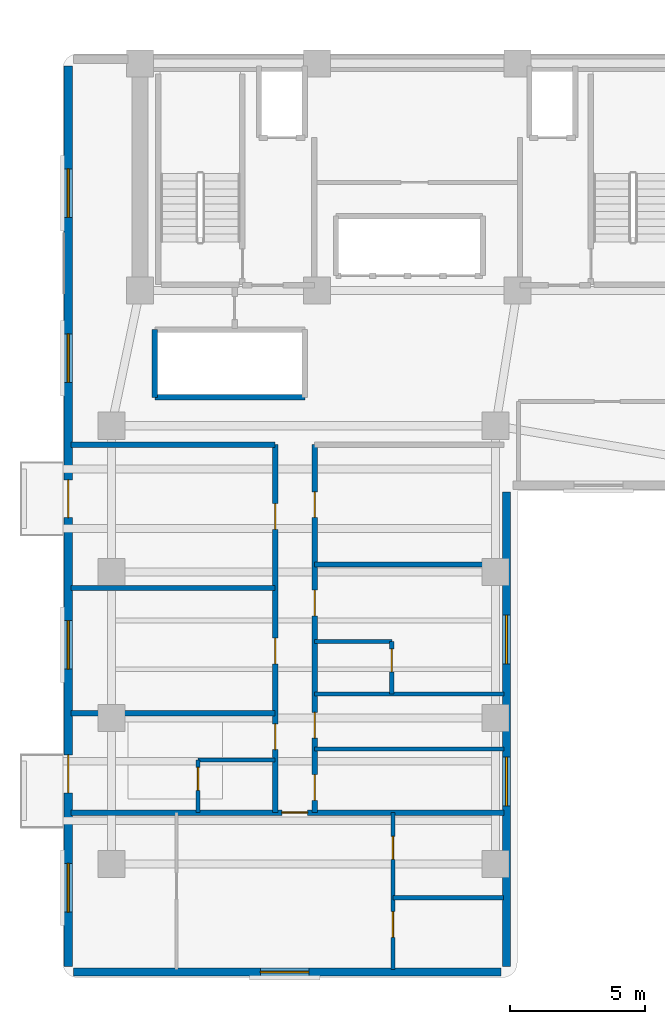
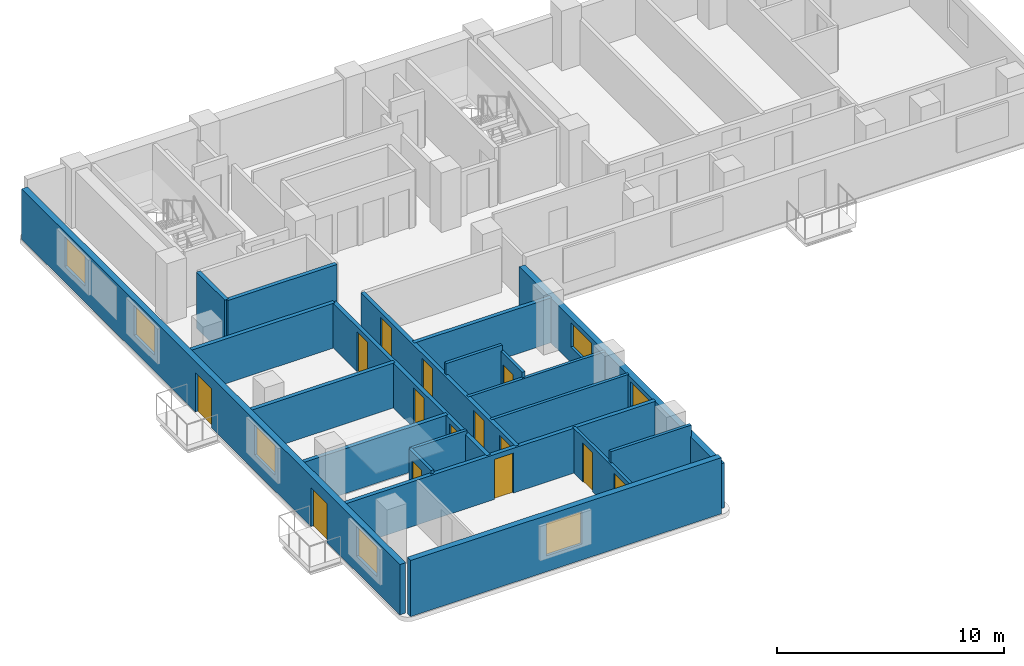
# One storey, part 3 of 8: 20 walls, 14 doors, 7 windows, 21 openings.
"""IFC4 building model written with IfcOpenShell, lengths in metres."""

import ifcopenshell
import ifcopenshell.guid

model = None  # the IFC model being written
_history = None  # IfcOwnerHistory: only IFC2X3 demands one
_inside = {}  # id of a spatial element -> (the spatial element, [elements in it])
_under = {}  # id of a project, library or spatial element -> (it, [spatial elements below it])
_declared = {}  # id of a project -> (the project, [libraries it declares])
_typed = {}  # id of a type object -> (the type object, [elements of that type])
_made_of = {}  # id of a material, layer set ... -> (it, [elements and type objects made of it])


def new_model(schema):
    """Start an empty IFC model of exactly this schema.

    Asked for "IFC4X3", IfcOpenShell would pick the latest addendum, in which some entities
    have other attributes; the version numbers below select the first issue.
    IFC2X3 requires an IfcOwnerHistory on every rooted entity: one is made here for all.
    """
    global model, _history
    if schema == "IFC4X3":
        model = ifcopenshell.file(schema_version=(4, 3, 0, 0))
    else:
        model = ifcopenshell.file(schema=schema)
    _inside.clear()
    _under.clear()
    _declared.clear()
    _typed.clear()
    _made_of.clear()
    _history = None
    if model.schema == "IFC2X3":
        org = make("IfcOrganization", Name="unknown")
        user = make(
            "IfcPersonAndOrganization",
            ThePerson=make("IfcPerson", FamilyName="unknown"),
            TheOrganization=org,
        )
        app = make(
            "IfcApplication",
            ApplicationDeveloper=org,
            Version="unknown",
            ApplicationFullName="unknown",
            ApplicationIdentifier="unknown",
        )
        _history = make(
            "IfcOwnerHistory",
            OwningUser=user,
            OwningApplication=app,
            ChangeAction="ADDED",
            CreationDate=0,
        )
    return model


def make(cls, **values):
    """One entity of the class cls with the attributes given. An attribute that is None is left unset."""
    return model.create_entity(
        cls, **{name: value for name, value in values.items() if value is not None}
    )


def rooted(cls, **values):
    """An entity with a GlobalId (a new one), such as an element, a storey or a relation."""
    return make(cls, GlobalId=ifcopenshell.guid.new(), OwnerHistory=_history, **values)


def si_unit(unit_type, name, prefix=None):
    """IfcSIUnit, for example si_unit("LENGTHUNIT", "METRE", prefix="MILLI")."""
    return make("IfcSIUnit", UnitType=unit_type, Prefix=prefix, Name=name)


def assignment(units):
    """IfcUnitAssignment: the units of a project."""
    return None if units is None else make("IfcUnitAssignment", Units=units)


def point(xyz):
    """IfcCartesianPoint."""
    return None if xyz is None else make("IfcCartesianPoint", Coordinates=xyz)


def direction(xyz):
    """IfcDirection."""
    return None if xyz is None else make("IfcDirection", DirectionRatios=xyz)


def frame(location, z_axis=None, x_axis=None):
    """IfcAxis2Placement3D, a coordinate frame: its origin and axes. An axis left out is left unset."""
    return make(
        "IfcAxis2Placement3D",
        Location=point(location),
        Axis=direction(z_axis),
        RefDirection=direction(x_axis),
    )


def frame_2d(location, x_axis=None):
    """IfcAxis2Placement2D, a coordinate frame in the plane: its origin and x axis."""
    return make(
        "IfcAxis2Placement2D", Location=point(location), RefDirection=direction(x_axis)
    )


def origin():
    """The frame at (0, 0, 0) with its axes left unset."""
    return frame((0.0, 0.0, 0.0))


def place(relative_to, where):
    """IfcLocalPlacement: puts the frame where relative to a parent placement (None: the world)."""
    return make(
        "IfcLocalPlacement", PlacementRelTo=relative_to, RelativePlacement=where
    )


def context(
    kind, dimensions, precision=None, world=None, true_north=None, identifier=None
):
    """IfcGeometricRepresentationContext, for example the 3D "Model" context."""
    return make(
        "IfcGeometricRepresentationContext",
        ContextIdentifier=identifier,
        ContextType=kind,
        CoordinateSpaceDimension=dimensions,
        Precision=precision,
        WorldCoordinateSystem=world,
        TrueNorth=true_north,
    )


def subcontext(parent, identifier, kind, view, scale=None):
    """IfcGeometricRepresentationSubContext, for example "Body" below "Model"."""
    return make(
        "IfcGeometricRepresentationSubContext",
        ContextIdentifier=identifier,
        ContextType=kind,
        ParentContext=parent,
        TargetScale=scale,
        TargetView=view,
    )


def project(units=None, contexts=None):
    """IfcProject with its units and contexts."""
    return rooted(
        "IfcProject",
        Name="project",
        RepresentationContexts=contexts,
        UnitsInContext=assignment(units),
    )


def spatial(cls, under=None, at=None, **own):
    """A site, building, storey or space (cls), placed at a placement, below another one or the project."""
    s = rooted(cls, ObjectPlacement=at, **own)
    if under is not None:
        _under.setdefault(under.id(), (under, []))[1].append(s)
    return s


def profile(cls, at=None, kind="AREA", **sizes):
    """A parametric profile (cls). Its sizes go by their IFC names, for example OverallWidth=200.0."""
    return make(cls, ProfileType=kind, Position=at, **sizes)


def rectangle(**sizes):
    """IfcRectangleProfileDef."""
    return profile("IfcRectangleProfileDef", **sizes)


def extrude(swept, where, along, depth):
    """IfcExtrudedAreaSolid: the profile swept, set in the frame where, extruded along a direction by depth."""
    return make(
        "IfcExtrudedAreaSolid",
        SweptArea=swept,
        Position=where,
        ExtrudedDirection=direction(along),
        Depth=depth,
    )


def shape(context_of_items, identifier, shape_type, items):
    """IfcShapeRepresentation: the items that make up one representation, for example the "Body"."""
    return make(
        "IfcShapeRepresentation",
        ContextOfItems=context_of_items,
        RepresentationIdentifier=identifier,
        RepresentationType=shape_type,
        Items=items,
    )


def material(Name=None, Category=None):
    """IfcMaterial."""
    return make("IfcMaterial", Name=Name, Category=Category)


def layer(
    of_material, thickness, ventilated=None, Name=None, Category=None, Priority=None
):
    """IfcMaterialLayer: one layer of a wall or slab, of a material (None: an air gap)."""
    return make(
        "IfcMaterialLayer",
        Material=of_material,
        LayerThickness=thickness,
        IsVentilated=ventilated,
        Name=Name,
        Category=Category,
        Priority=Priority,
    )


def layer_set(layers, Name=None):
    """IfcMaterialLayerSet."""
    return make("IfcMaterialLayerSet", MaterialLayers=layers, LayerSetName=Name)


def made_of(thing, what):
    """Note that an element or type object is made of a material, layer set ...; save() writes the relation."""
    if what is not None:
        _made_of.setdefault(what.id(), (what, []))[1].append(thing)
    return thing


def type_object(cls, material=None, **own):
    """A type object (cls), such as IfcWallType, which elements share."""
    return made_of(rooted(cls, **own), material)


def element(
    cls,
    number,
    at=None,
    inside=None,
    cuts=None,
    type_object=None,
    material=None,
    context=None,
    identifier="Body",
    shape_type=None,
    held_by="IfcProductDefinitionShape",
    body=None,
    shapes=None,
    **own,
):
    """One element of the class cls, such as IfcWall. Its Tag is "e" and its number.

    at: its placement. inside: the storey or other place that contains it. cuts: it is an
    opening in that element (IfcRelVoidsElement). A single representation is given by context,
    identifier, shape_type and body (its items); several are given by shapes. held_by: the class
    of the entity that holds the representations. save() writes the other relations.
    """
    e = rooted(cls, Tag="e%d" % number, ObjectPlacement=at, **own)
    if body is not None:
        shapes = [shape(context, identifier, shape_type, body)]
    if shapes is not None:
        e.Representation = make(held_by, Representations=shapes)
    if inside is not None:
        _inside.setdefault(inside.id(), (inside, []))[1].append(e)
    if cuts is not None:
        rooted(
            "IfcRelVoidsElement", RelatingBuildingElement=cuts, RelatedOpeningElement=e
        )
    if type_object is not None:
        _typed.setdefault(type_object.id(), (type_object, []))[1].append(e)
    return made_of(e, material)


def fill(opening, filler):
    """IfcRelFillsElement: the door or window that sits in an opening."""
    return rooted(
        "IfcRelFillsElement",
        RelatingOpeningElement=opening,
        RelatedBuildingElement=filler,
    )


def aggregate(whole, parts):
    """IfcRelAggregates: a whole, such as a stair, and the parts it consists of."""
    return rooted("IfcRelAggregates", RelatingObject=whole, RelatedObjects=parts)


def save(model, path):
    """Write the relations noted so far, then the file.

    IfcRelAggregates (storeys below a building ...), IfcRelContainedInSpatialStructure (elements
    in a storey), IfcRelDefinesByType, IfcRelAssociatesMaterial and IfcRelDeclares: one each for
    every whole, place, type object, material and project.
    """
    for whole, parts in _under.values():
        aggregate(whole, parts)
    for where, things in _inside.values():
        rooted(
            "IfcRelContainedInSpatialStructure",
            RelatedElements=things,
            RelatingStructure=where,
        )
    for kind, things in _typed.values():
        rooted("IfcRelDefinesByType", RelatedObjects=things, RelatingType=kind)
    for what, things in _made_of.values():
        rooted("IfcRelAssociatesMaterial", RelatedObjects=things, RelatingMaterial=what)
    for by, libraries in _declared.values():
        rooted("IfcRelDeclares", RelatingContext=by, RelatedDefinitions=libraries)
    model.write(path)


model = new_model("IFC4")

# Units and contexts
model_context = context("Model", 3, precision=1e-05, world=origin(), true_north=direction((0.0, 1.0)))
body_context = subcontext(model_context, "Body", "Model", "MODEL_VIEW")
ifc_project = project(units=[si_unit("LENGTHUNIT", "METRE"), si_unit("AREAUNIT", "SQUARE_METRE"), si_unit("VOLUMEUNIT", "CUBIC_METRE"), si_unit("PLANEANGLEUNIT", "RADIAN"), si_unit("MASSUNIT", "GRAM", prefix="KILO")], contexts=[model_context])

# Site, building, storey
site_placement = place(None, origin())
site = spatial("IfcSite", under=ifc_project, at=site_placement, CompositionType="ELEMENT")
building_placement = place(site_placement, origin())
building = spatial("IfcBuilding", under=site, at=building_placement, Name="Kuzgunbayir Cultural Tower", CompositionType="ELEMENT")
storey_placement = place(building_placement, frame((0.0, 0.0, 107.39990234375)))
storey = spatial("IfcBuildingStorey", under=building, at=storey_placement, Name="L30", CompositionType="ELEMENT", Elevation=107.39990234375)

# Wall, opening, window
ifc_material_1 = material(Name="Anatolian Cream Limestone", Category="masonry")
ifc_layer_1 = layer(ifc_material_1, 0.300048828125)
ifc_layer_set_1 = layer_set([ifc_layer_1], Name="Anatolian Cream Limestone")
wall_type_1 = type_object("IfcWallType", Name="WAL-EXT-STONE-300", PredefinedType="STANDARD", material=ifc_layer_set_1)
wall_1_placement = place(storey_placement, frame((4.0, 8.60009765625, 0.0), z_axis=(0.0, 0.0, 1.0), x_axis=(1.0, 0.0, 0.0)))
wall_1 = element("IfcWall", 1, at=wall_1_placement, inside=storey, type_object=wall_type_1, Name="L30 Wing A South Limestone Wall", PredefinedType="STANDARD", context=body_context, shape_type="SweptSolid", body=[
    extrude(rectangle(XDim=15.800048828125, YDim=0.300048828125, at=frame_2d((7.89990234375, 0.0))), origin(), (0.0, 0.0, 1.0), 3.02001953125),
])
opening_1_placement = place(wall_1_placement, frame((6.89990234375, 0.0, 0.85009765625)))
opening_1 = element("IfcOpeningElement", 2, at=opening_1_placement, cuts=wall_1, Name="Opening WH-18", PredefinedType="OPENING", context=body_context, shape_type="SweptSolid", body=[
    extrude(rectangle(XDim=1.800048828125, YDim=1.75, at=frame_2d((0.89990234375, 0.875))), frame((0.0, 0.16015625, 0.0), z_axis=(0.0, -1.0, 0.0), x_axis=(1.0, 0.0, 0.0)), (0.0, 0.0, 1.0), 0.320068359375),
])
ifc_material_2 = material(Name="Solar-Control Triple Glazing", Category="glass")
window_type = type_object("IfcWindowType", Name="WIN-HOTEL-18", PartitioningType="SINGLE_PANEL", PredefinedType="WINDOW", material=ifc_material_2)
window_1_placement = place(opening_1_placement, origin())
window_1 = element("IfcWindow", 3, at=window_1_placement, inside=storey, type_object=window_type, Name="L30 WAS Facade Window 2", OverallHeight=1.75, OverallWidth=1.800048828125, PartitioningType="SINGLE_PANEL", PredefinedType="WINDOW", context=body_context, shape_type="SweptSolid", body=[
    extrude(rectangle(XDim=1.800048828125, YDim=1.75, at=frame_2d((0.89990234375, 0.875))), frame((0.0, 0.030029296875, 0.0), z_axis=(0.0, -1.0, 0.0), x_axis=(1.0, 0.0, 0.0)), (0.0, 0.0, 1.0), 0.06005859375),
])
fill(opening_1, window_1)

# Wall, openings, doors, windows
wall_2_placement = place(storey_placement, frame((3.800048828125, 42.10009765625, 0.0), z_axis=(0.0, 0.0, 1.0), x_axis=(0.0, -1.0, 0.0)))
wall_2 = element("IfcWall", 4, at=wall_2_placement, inside=storey, type_object=wall_type_1, Name="L30 Wing A West Limestone Wall", PredefinedType="STANDARD", context=body_context, shape_type="SweptSolid", body=[
    extrude(rectangle(XDim=33.300048828125, YDim=0.300048828125, at=frame_2d((16.64990234375, 0.0))), origin(), (0.0, 0.0, 1.0), 2.710205078125),
])
opening_2_placement = place(wall_2_placement, frame((25.469970703125, 0.0, 0.0)))
opening_2 = element("IfcOpeningElement", 5, at=opening_2_placement, cuts=wall_2, Name="Opening BD-15", PredefinedType="OPENING", context=body_context, shape_type="SweptSolid", body=[
    extrude(rectangle(XDim=1.39990234375, YDim=2.10009765625, at=frame_2d((0.699951171875, 1.050048828125))), frame((0.0, 0.16015625, 0.0), z_axis=(0.0, -1.0, 0.0), x_axis=(1.0, 0.0, 0.0)), (0.0, 0.0, 1.0), 0.320068359375),
])
opening_3_placement = place(wall_2_placement, frame((15.300048828125, 0.0, 0.0)))
opening_3 = element("IfcOpeningElement", 6, at=opening_3_placement, cuts=wall_2, Name="Opening BD-15", PredefinedType="OPENING", context=body_context, shape_type="SweptSolid", body=[
    extrude(rectangle(XDim=1.39990234375, YDim=2.10009765625, at=frame_2d((0.699951171875, 1.050048828125))), frame((0.0, 0.16015625, 0.0), z_axis=(0.0, -1.0, 0.0), x_axis=(1.0, 0.0, 0.0)), (0.0, 0.0, 1.0), 0.320068359375),
])
opening_4_placement = place(wall_2_placement, frame((29.47998046875, 0.0, 0.85009765625)))
opening_4 = element("IfcOpeningElement", 7, at=opening_4_placement, cuts=wall_2, Name="Opening WH-18", PredefinedType="OPENING", context=body_context, shape_type="SweptSolid", body=[
    extrude(rectangle(XDim=1.800048828125, YDim=1.610107421875, at=frame_2d((0.89990234375, 0.80517578125))), frame((0.0, 0.16015625, 0.0), z_axis=(0.0, -1.0, 0.0), x_axis=(1.0, 0.0, 0.0)), (0.0, 0.0, 1.0), 0.320068359375),
])
opening_5_placement = place(wall_2_placement, frame((20.5, 0.0, 0.85009765625)))
opening_5 = element("IfcOpeningElement", 8, at=opening_5_placement, cuts=wall_2, Name="Opening WH-18", PredefinedType="OPENING", context=body_context, shape_type="SweptSolid", body=[
    extrude(rectangle(XDim=1.800048828125, YDim=1.610107421875, at=frame_2d((0.89990234375, 0.80517578125))), frame((0.0, 0.16015625, 0.0), z_axis=(0.0, -1.0, 0.0), x_axis=(1.0, 0.0, 0.0)), (0.0, 0.0, 1.0), 0.320068359375),
])
opening_6_placement = place(wall_2_placement, frame((9.89990234375, 0.0, 0.85009765625)))
opening_6 = element("IfcOpeningElement", 9, at=opening_6_placement, cuts=wall_2, Name="Opening WH-18", PredefinedType="OPENING", context=body_context, shape_type="SweptSolid", body=[
    extrude(rectangle(XDim=1.800048828125, YDim=1.610107421875, at=frame_2d((0.89990234375, 0.80517578125))), frame((0.0, 0.16015625, 0.0), z_axis=(0.0, -1.0, 0.0), x_axis=(1.0, 0.0, 0.0)), (0.0, 0.0, 1.0), 0.320068359375),
])
opening_7_placement = place(wall_2_placement, frame((3.800048828125, 0.0, 0.85009765625)))
opening_7 = element("IfcOpeningElement", 10, at=opening_7_placement, cuts=wall_2, Name="Opening WH-18", PredefinedType="OPENING", context=body_context, shape_type="SweptSolid", body=[
    extrude(rectangle(XDim=1.800048828125, YDim=1.610107421875, at=frame_2d((0.89990234375, 0.80517578125))), frame((0.0, 0.16015625, 0.0), z_axis=(0.0, -1.0, 0.0), x_axis=(1.0, 0.0, 0.0)), (0.0, 0.0, 1.0), 0.320068359375),
])
ifc_material_3 = material(Name="Thermally Broken Glazed Aluminium", Category="aluminium")
door_type_1 = type_object("IfcDoorType", Name="DR-BALCONY-150", OperationType="SLIDING_TO_RIGHT", PredefinedType="DOOR", material=ifc_material_3)
door_1_placement = place(opening_2_placement, origin())
door_1 = element("IfcDoor", 11, at=door_1_placement, inside=storey, type_object=door_type_1, Name="L30 West Balcony Sliding Door BAL-L30-WA1", OperationType="SLIDING_TO_RIGHT", OverallHeight=2.10009765625, OverallWidth=1.39990234375, PredefinedType="DOOR", context=body_context, shape_type="SweptSolid", body=[
    extrude(rectangle(XDim=1.39990234375, YDim=2.10009765625, at=frame_2d((0.699951171875, 1.050048828125))), frame((0.0, 0.02490234375, 0.0), z_axis=(0.0, -1.0, 0.0), x_axis=(1.0, 0.0, 0.0)), (0.0, 0.0, 1.0), 0.050048828125),
])
fill(opening_2, door_1)
door_2_placement = place(opening_3_placement, origin())
door_2 = element("IfcDoor", 12, at=door_2_placement, inside=storey, type_object=door_type_1, Name="L30 West Balcony Sliding Door BAL-L30-WA3", OperationType="SLIDING_TO_RIGHT", OverallHeight=2.10009765625, OverallWidth=1.39990234375, PredefinedType="DOOR", context=body_context, shape_type="SweptSolid", body=[
    extrude(rectangle(XDim=1.39990234375, YDim=2.10009765625, at=frame_2d((0.699951171875, 1.050048828125))), frame((0.0, 0.02490234375, 0.0), z_axis=(0.0, -1.0, 0.0), x_axis=(1.0, 0.0, 0.0)), (0.0, 0.0, 1.0), 0.050048828125),
])
fill(opening_3, door_2)
window_2_placement = place(opening_4_placement, origin())
window_2 = element("IfcWindow", 13, at=window_2_placement, inside=storey, type_object=window_type, Name="L30 WAW Facade Window 1", OverallHeight=1.610107421875, OverallWidth=1.800048828125, PartitioningType="SINGLE_PANEL", PredefinedType="WINDOW", context=body_context, shape_type="SweptSolid", body=[
    extrude(rectangle(XDim=1.800048828125, YDim=1.610107421875, at=frame_2d((0.89990234375, 0.80517578125))), frame((0.0, 0.030029296875, 0.0), z_axis=(0.0, -1.0, 0.0), x_axis=(1.0, 0.0, 0.0)), (0.0, 0.0, 1.0), 0.06005859375),
])
fill(opening_4, window_2)
window_3_placement = place(opening_5_placement, origin())
window_3 = element("IfcWindow", 14, at=window_3_placement, inside=storey, type_object=window_type, Name="L30 WAW Facade Window 6", OverallHeight=1.610107421875, OverallWidth=1.800048828125, PartitioningType="SINGLE_PANEL", PredefinedType="WINDOW", context=body_context, shape_type="SweptSolid", body=[
    extrude(rectangle(XDim=1.800048828125, YDim=1.610107421875, at=frame_2d((0.89990234375, 0.80517578125))), frame((0.0, 0.030029296875, 0.0), z_axis=(0.0, -1.0, 0.0), x_axis=(1.0, 0.0, 0.0)), (0.0, 0.0, 1.0), 0.06005859375),
])
fill(opening_5, window_3)
window_4_placement = place(opening_6_placement, origin())
window_4 = element("IfcWindow", 15, at=window_4_placement, inside=storey, type_object=window_type, Name="L30 WAW Facade Window 7", OverallHeight=1.610107421875, OverallWidth=1.800048828125, PartitioningType="SINGLE_PANEL", PredefinedType="WINDOW", context=body_context, shape_type="SweptSolid", body=[
    extrude(rectangle(XDim=1.800048828125, YDim=1.610107421875, at=frame_2d((0.89990234375, 0.80517578125))), frame((0.0, 0.030029296875, 0.0), z_axis=(0.0, -1.0, 0.0), x_axis=(1.0, 0.0, 0.0)), (0.0, 0.0, 1.0), 0.06005859375),
])
fill(opening_6, window_4)
window_5_placement = place(opening_7_placement, origin())
window_5 = element("IfcWindow", 16, at=window_5_placement, inside=storey, type_object=window_type, Name="L30 WAW Facade Window 8", OverallHeight=1.610107421875, OverallWidth=1.800048828125, PartitioningType="SINGLE_PANEL", PredefinedType="WINDOW", context=body_context, shape_type="SweptSolid", body=[
    extrude(rectangle(XDim=1.800048828125, YDim=1.610107421875, at=frame_2d((0.89990234375, 0.80517578125))), frame((0.0, 0.030029296875, 0.0), z_axis=(0.0, -1.0, 0.0), x_axis=(1.0, 0.0, 0.0)), (0.0, 0.0, 1.0), 0.06005859375),
])
fill(opening_7, window_5)

# Wall, openings, windows
wall_3_placement = place(storey_placement, frame((20.0, 8.800048828125, 0.0), z_axis=(0.0, 0.0, 1.0), x_axis=(0.0, 1.0, 0.0)))
wall_3 = element("IfcWall", 17, at=wall_3_placement, inside=storey, type_object=wall_type_1, Name="L30 Wing A East Limestone Wall", PredefinedType="STANDARD", context=body_context, shape_type="SweptSolid", body=[
    extrude(rectangle(XDim=17.550048828125, YDim=0.300048828125, at=frame_2d((8.77490234375, 0.0))), origin(), (0.0, 0.0, 1.0), 2.41015625),
])
opening_8_placement = place(wall_3_placement, frame((11.199951171875, 0.0, 0.85009765625)))
opening_8 = element("IfcOpeningElement", 18, at=opening_8_placement, cuts=wall_3, Name="Opening WH-18", PredefinedType="OPENING", context=body_context, shape_type="SweptSolid", body=[
    extrude(rectangle(XDim=1.800048828125, YDim=1.31005859375, at=frame_2d((0.89990234375, 0.655029296875))), frame((0.0, 0.16015625, 0.0), z_axis=(0.0, -1.0, 0.0), x_axis=(1.0, 0.0, 0.0)), (0.0, 0.0, 1.0), 0.320068359375),
])
opening_9_placement = place(wall_3_placement, frame((5.949951171875, 0.0, 0.85009765625)))
opening_9 = element("IfcOpeningElement", 19, at=opening_9_placement, cuts=wall_3, Name="Opening WH-18", PredefinedType="OPENING", context=body_context, shape_type="SweptSolid", body=[
    extrude(rectangle(XDim=1.800048828125, YDim=1.31005859375, at=frame_2d((0.89990234375, 0.655029296875))), frame((0.0, 0.16015625, 0.0), z_axis=(0.0, -1.0, 0.0), x_axis=(1.0, 0.0, 0.0)), (0.0, 0.0, 1.0), 0.320068359375),
])
window_6_placement = place(opening_8_placement, origin())
window_6 = element("IfcWindow", 20, at=window_6_placement, inside=storey, type_object=window_type, Name="L30 WAE Facade Window 3", OverallHeight=1.31005859375, OverallWidth=1.800048828125, PartitioningType="SINGLE_PANEL", PredefinedType="WINDOW", context=body_context, shape_type="SweptSolid", body=[
    extrude(rectangle(XDim=1.800048828125, YDim=1.31005859375, at=frame_2d((0.89990234375, 0.655029296875))), frame((0.0, 0.030029296875, 0.0), z_axis=(0.0, -1.0, 0.0), x_axis=(1.0, 0.0, 0.0)), (0.0, 0.0, 1.0), 0.06005859375),
])
fill(opening_8, window_6)
window_7_placement = place(opening_9_placement, origin())
window_7 = element("IfcWindow", 21, at=window_7_placement, inside=storey, type_object=window_type, Name="L30 WAE Facade Window 9", OverallHeight=1.31005859375, OverallWidth=1.800048828125, PartitioningType="SINGLE_PANEL", PredefinedType="WINDOW", context=body_context, shape_type="SweptSolid", body=[
    extrude(rectangle(XDim=1.800048828125, YDim=1.31005859375, at=frame_2d((0.89990234375, 0.655029296875))), frame((0.0, 0.030029296875, 0.0), z_axis=(0.0, -1.0, 0.0), x_axis=(1.0, 0.0, 0.0)), (0.0, 0.0, 1.0), 0.06005859375),
])
fill(opening_9, window_7)

# Wall
ifc_material_4 = material(Name="Acoustic Double-Stud Drywall", Category="gypsum")
ifc_layer_2 = layer(ifc_material_4, 0.14990234375)
ifc_layer_set_2 = layer_set([ifc_layer_2], Name="Acoustic Double-Stud Drywall")
wall_type_2 = type_object("IfcWallType", Name="WAL-PART-ACOUSTIC-150", PredefinedType="PARTITIONING", material=ifc_layer_set_2)
wall_4_placement = place(storey_placement, frame((12.909912109375, 16.85009765625, 0.0), z_axis=(0.0, 0.0, 1.0), x_axis=(1.0, 0.0, 0.0)))
element("IfcWall", 22, at=wall_4_placement, inside=storey, type_object=wall_type_2, Name="L30 Housekeeping North Wall", PredefinedType="PARTITIONING", context=body_context, shape_type="SweptSolid", body=[
    extrude(rectangle(XDim=6.989990234375, YDim=0.14990234375, at=frame_2d((3.4951171875, 0.0))), origin(), (0.0, 0.0, 1.0), 2.41015625),
])

# Wall, openings, doors
ifc_material_5 = material(Name="Aerated Concrete Blockwork", Category="masonry")
ifc_layer_3 = layer(ifc_material_5, 0.199951171875)
ifc_layer_set_3 = layer_set([ifc_layer_3], Name="Aerated Concrete Blockwork")
wall_type_3 = type_object("IfcWallType", Name="WAL-PART-FIRE-200", PredefinedType="PARTITIONING", material=ifc_layer_set_3)
wall_5_placement = place(storey_placement, frame((11.449951171875, 14.5, 0.0), z_axis=(0.0, 0.0, 1.0), x_axis=(0.0, 1.0, 0.0)))
wall_5 = element("IfcWall", 23, at=wall_5_placement, inside=storey, type_object=wall_type_3, Name="L30 Wing A West Corridor Wall", PredefinedType="PARTITIONING", context=body_context, shape_type="SweptSolid", body=[
    extrude(rectangle(XDim=13.60009765625, YDim=0.199951171875, at=frame_2d((6.800048828125, 0.0))), origin(), (0.0, 0.0, 1.0), 2.41015625),
])
opening_10_placement = place(wall_5_placement, frame((2.330078125, 0.0, 0.0)))
opening_10 = element("IfcOpeningElement", 24, at=opening_10_placement, cuts=wall_5, Name="Opening DR-APT-60", PredefinedType="OPENING", context=body_context, shape_type="SweptSolid", body=[
    extrude(rectangle(XDim=0.949951171875, YDim=2.14990234375, at=frame_2d((0.47509765625, 1.074951171875))), frame((0.0, 0.10986328125, 0.0), z_axis=(0.0, -1.0, 0.0), x_axis=(1.0, 0.0, 0.0)), (0.0, 0.0, 1.0), 0.219970703125),
])
opening_11_placement = place(wall_5_placement, frame((5.5, 0.0, 0.0)))
opening_11 = element("IfcOpeningElement", 25, at=opening_11_placement, cuts=wall_5, Name="Opening DI-90", PredefinedType="OPENING", context=body_context, shape_type="SweptSolid", body=[
    extrude(rectangle(XDim=0.949951171875, YDim=2.14990234375, at=frame_2d((0.47509765625, 1.074951171875))), frame((0.0, 0.10986328125, 0.0), z_axis=(0.0, -1.0, 0.0), x_axis=(1.0, 0.0, 0.0)), (0.0, 0.0, 1.0), 0.219970703125),
])
opening_12_placement = place(wall_5_placement, frame((10.469970703125, 0.0, 0.0)))
opening_12 = element("IfcOpeningElement", 26, at=opening_12_placement, cuts=wall_5, Name="Opening DI-90", PredefinedType="OPENING", context=body_context, shape_type="SweptSolid", body=[
    extrude(rectangle(XDim=0.949951171875, YDim=2.14990234375, at=frame_2d((0.47509765625, 1.074951171875))), frame((0.0, 0.10986328125, 0.0), z_axis=(0.0, -1.0, 0.0), x_axis=(1.0, 0.0, 0.0)), (0.0, 0.0, 1.0), 0.219970703125),
])
ifc_material_6 = material(Name="Acoustic Fire Timber Leaf", Category="wood")
door_type_2 = type_object("IfcDoorType", Name="DR-APT-60", OperationType="NOTDEFINED", PredefinedType="DOOR", material=ifc_material_6)
door_3_placement = place(opening_10_placement, origin())
door_3 = element("IfcDoor", 27, at=door_3_placement, inside=storey, type_object=door_type_2, Name="L30 Guest Suite W1 Entrance", OperationType="SINGLE_SWING_LEFT", OverallHeight=2.14990234375, OverallWidth=0.949951171875, PredefinedType="DOOR", context=body_context, shape_type="SweptSolid", body=[
    extrude(rectangle(XDim=0.949951171875, YDim=2.14990234375, at=frame_2d((0.47509765625, 1.074951171875))), frame((0.0, 0.02490234375, 0.0), z_axis=(0.0, -1.0, 0.0), x_axis=(1.0, 0.0, 0.0)), (0.0, 0.0, 1.0), 0.050048828125),
])
fill(opening_10, door_3)
ifc_material_7 = material(Name="Veneered Oak Single Leaf", Category="wood")
door_type_3 = type_object("IfcDoorType", Name="DR-INT-90", OperationType="NOTDEFINED", PredefinedType="DOOR", material=ifc_material_7)
door_4_placement = place(opening_11_placement, origin())
door_4 = element("IfcDoor", 28, at=door_4_placement, inside=storey, type_object=door_type_3, Name="L30 Curatorial Office 2 Door", OperationType="SINGLE_SWING_RIGHT", OverallHeight=2.14990234375, OverallWidth=0.949951171875, PredefinedType="DOOR", context=body_context, shape_type="SweptSolid", body=[
    extrude(rectangle(XDim=0.949951171875, YDim=2.14990234375, at=frame_2d((0.47509765625, 1.074951171875))), frame((0.0, 0.02490234375, 0.0), z_axis=(0.0, -1.0, 0.0), x_axis=(1.0, 0.0, 0.0)), (0.0, 0.0, 1.0), 0.050048828125),
])
fill(opening_11, door_4)
door_5_placement = place(opening_12_placement, origin())
door_5 = element("IfcDoor", 29, at=door_5_placement, inside=storey, type_object=door_type_3, Name="L30 Curatorial Office 3 Door", OperationType="SINGLE_SWING_LEFT", OverallHeight=2.14990234375, OverallWidth=0.949951171875, PredefinedType="DOOR", context=body_context, shape_type="SweptSolid", body=[
    extrude(rectangle(XDim=0.949951171875, YDim=2.14990234375, at=frame_2d((0.47509765625, 1.074951171875))), frame((0.0, 0.02490234375, 0.0), z_axis=(0.0, -1.0, 0.0), x_axis=(1.0, 0.0, 0.0)), (0.0, 0.0, 1.0), 0.050048828125),
])
fill(opening_12, door_5)

wall_6_placement = place(storey_placement, frame((12.909912109375, 14.5, 0.0), z_axis=(0.0, 0.0, 1.0), x_axis=(0.0, 1.0, 0.0)))
wall_6 = element("IfcWall", 30, at=wall_6_placement, inside=storey, type_object=wall_type_3, Name="L30 Wing A East Corridor Wall", PredefinedType="PARTITIONING", context=body_context, shape_type="SweptSolid", body=[
    extrude(rectangle(XDim=13.60009765625, YDim=0.199951171875, at=frame_2d((6.800048828125, 0.0))), origin(), (0.0, 0.0, 1.0), 2.41015625),
])
opening_13_placement = place(wall_6_placement, frame((0.449951171875, 0.0, 0.0)))
opening_13 = element("IfcOpeningElement", 31, at=opening_13_placement, cuts=wall_6, Name="Opening DI-90", PredefinedType="OPENING", context=body_context, shape_type="SweptSolid", body=[
    extrude(rectangle(XDim=0.949951171875, YDim=2.14990234375, at=frame_2d((0.47509765625, 1.074951171875))), frame((0.0, 0.10986328125, 0.0), z_axis=(0.0, -1.0, 0.0), x_axis=(1.0, 0.0, 0.0)), (0.0, 0.0, 1.0), 0.219970703125),
])
opening_14_placement = place(wall_6_placement, frame((2.75, 0.0, 0.0)))
opening_14 = element("IfcOpeningElement", 32, at=opening_14_placement, cuts=wall_6, Name="Opening DW-95", PredefinedType="OPENING", context=body_context, shape_type="SweptSolid", body=[
    extrude(rectangle(XDim=0.949951171875, YDim=2.10009765625, at=frame_2d((0.47509765625, 1.050048828125))), frame((0.0, 0.10986328125, 0.0), z_axis=(0.0, -1.0, 0.0), x_axis=(1.0, 0.0, 0.0)), (0.0, 0.0, 1.0), 0.219970703125),
])
opening_15_placement = place(wall_6_placement, frame((10.909912109375, 0.0, 0.0)))
opening_15 = element("IfcOpeningElement", 33, at=opening_15_placement, cuts=wall_6, Name="Opening DI-90", PredefinedType="OPENING", context=body_context, shape_type="SweptSolid", body=[
    extrude(rectangle(XDim=0.949951171875, YDim=2.14990234375, at=frame_2d((0.47509765625, 1.074951171875))), frame((0.0, 0.10986328125, 0.0), z_axis=(0.0, -1.0, 0.0), x_axis=(1.0, 0.0, 0.0)), (0.0, 0.0, 1.0), 0.219970703125),
])
opening_16_placement = place(wall_6_placement, frame((7.27001953125, 0.0, 0.0)))
opening_16 = element("IfcOpeningElement", 34, at=opening_16_placement, cuts=wall_6, Name="Opening DR-APT-60", PredefinedType="OPENING", context=body_context, shape_type="SweptSolid", body=[
    extrude(rectangle(XDim=0.949951171875, YDim=2.14990234375, at=frame_2d((0.47509765625, 1.074951171875))), frame((0.0, 0.10986328125, 0.0), z_axis=(0.0, -1.0, 0.0), x_axis=(1.0, 0.0, 0.0)), (0.0, 0.0, 1.0), 0.219970703125),
])
door_6_placement = place(opening_16_placement, origin())
door_6 = element("IfcDoor", 35, at=door_6_placement, inside=storey, type_object=door_type_2, Name="L30 Guest Suite E1 Entrance", OperationType="SINGLE_SWING_RIGHT", OverallHeight=2.14990234375, OverallWidth=0.949951171875, PredefinedType="DOOR", context=body_context, shape_type="SweptSolid", body=[
    extrude(rectangle(XDim=0.949951171875, YDim=2.14990234375, at=frame_2d((0.47509765625, 1.074951171875))), frame((0.0, 0.02490234375, 0.0), z_axis=(0.0, -1.0, 0.0), x_axis=(1.0, 0.0, 0.0)), (0.0, 0.0, 1.0), 0.050048828125),
])
fill(opening_16, door_6)
door_7_placement = place(opening_13_placement, origin())
door_7 = element("IfcDoor", 36, at=door_7_placement, inside=storey, type_object=door_type_3, Name="L30 Housekeeping Room Door", OperationType="SINGLE_SWING_RIGHT", OverallHeight=2.14990234375, OverallWidth=0.949951171875, PredefinedType="DOOR", context=body_context, shape_type="SweptSolid", body=[
    extrude(rectangle(XDim=0.949951171875, YDim=2.14990234375, at=frame_2d((0.47509765625, 1.074951171875))), frame((0.0, 0.02490234375, 0.0), z_axis=(0.0, -1.0, 0.0), x_axis=(1.0, 0.0, 0.0)), (0.0, 0.0, 1.0), 0.050048828125),
])
fill(opening_13, door_7)
door_8_placement = place(opening_15_placement, origin())
door_8 = element("IfcDoor", 37, at=door_8_placement, inside=storey, type_object=door_type_3, Name="L30 Curatorial Office E1 Door", OperationType="SINGLE_SWING_RIGHT", OverallHeight=2.14990234375, OverallWidth=0.949951171875, PredefinedType="DOOR", context=body_context, shape_type="SweptSolid", body=[
    extrude(rectangle(XDim=0.949951171875, YDim=2.14990234375, at=frame_2d((0.47509765625, 1.074951171875))), frame((0.0, 0.02490234375, 0.0), z_axis=(0.0, -1.0, 0.0), x_axis=(1.0, 0.0, 0.0)), (0.0, 0.0, 1.0), 0.050048828125),
])
fill(opening_15, door_8)
ifc_material_8 = material(Name="Laminate Moisture-Resistant Leaf", Category="wood")
door_type_4 = type_object("IfcDoorType", Name="DR-WET-95", OperationType="NOTDEFINED", PredefinedType="DOOR", material=ifc_material_8)
door_9_placement = place(opening_14_placement, origin())
door_9 = element("IfcDoor", 38, at=door_9_placement, inside=storey, type_object=door_type_4, Name="L30 Accessible WC Door", OperationType="SINGLE_SWING_LEFT", OverallHeight=2.10009765625, OverallWidth=0.949951171875, PredefinedType="DOOR", context=body_context, shape_type="SweptSolid", body=[
    extrude(rectangle(XDim=0.949951171875, YDim=2.10009765625, at=frame_2d((0.47509765625, 1.050048828125))), frame((0.0, 0.02490234375, 0.0), z_axis=(0.0, -1.0, 0.0), x_axis=(1.0, 0.0, 0.0)), (0.0, 0.0, 1.0), 0.050048828125),
])
fill(opening_14, door_9)

# Wall, opening, door
wall_7_placement = place(storey_placement, frame((3.89990234375, 14.5, 0.0), z_axis=(0.0, 0.0, 1.0), x_axis=(1.0, 0.0, 0.0)))
wall_7 = element("IfcWall", 39, at=wall_7_placement, inside=storey, type_object=wall_type_3, Name="L30 South Cross Partition", PredefinedType="PARTITIONING", context=body_context, shape_type="SweptSolid", body=[
    extrude(rectangle(XDim=16.0, YDim=0.199951171875, at=frame_2d((8.0, 0.0))), origin(), (0.0, 0.0, 1.0), 2.41015625),
])
opening_17_placement = place(wall_7_placement, frame((7.800048828125, 0.0, 0.0)))
opening_17 = element("IfcOpeningElement", 40, at=opening_17_placement, cuts=wall_7, Name="Opening DR-APT-60", PredefinedType="OPENING", context=body_context, shape_type="SweptSolid", body=[
    extrude(rectangle(XDim=0.949951171875, YDim=2.14990234375, at=frame_2d((0.47509765625, 1.074951171875))), frame((0.0, 0.10986328125, 0.0), z_axis=(0.0, -1.0, 0.0), x_axis=(1.0, 0.0, 0.0)), (0.0, 0.0, 1.0), 0.219970703125),
])
door_10_placement = place(opening_17_placement, origin())
door_10 = element("IfcDoor", 41, at=door_10_placement, inside=storey, type_object=door_type_2, Name="L30 Diplomatic Suite Entrance", OperationType="SINGLE_SWING_RIGHT", OverallHeight=2.14990234375, OverallWidth=0.949951171875, PredefinedType="DOOR", context=body_context, shape_type="SweptSolid", body=[
    extrude(rectangle(XDim=0.949951171875, YDim=2.14990234375, at=frame_2d((0.47509765625, 1.074951171875))), frame((0.0, 0.02490234375, 0.0), z_axis=(0.0, -1.0, 0.0), x_axis=(1.0, 0.0, 0.0)), (0.0, 0.0, 1.0), 0.050048828125),
])
fill(opening_17, door_10)

# Walls
for number, where, z_axis, x_axis, name in (
    (42, (3.89990234375, 28.10009765625, 0.0), (0.0, 0.0, 1.0), (1.0, 0.0, 0.0), "L30 North West Partition"),
    (43, (3.89990234375, 18.169921875, 0.0), (0.0, 0.0, 1.0), (1.0, 0.0, 0.0), "L30 West Party Wall 1"),
    (44, (3.89990234375, 22.800048828125, 0.0), (0.0, 0.0, 1.0), (1.0, 0.0, 0.0), "L30 West Party Wall 2"),
):
    element("IfcWall", number, at=place(storey_placement, frame(where, z_axis=z_axis, x_axis=x_axis)), inside=storey, type_object=wall_type_3, Name=name, PredefinedType="PARTITIONING", context=body_context, shape_type="SweptSolid", body=[
        extrude(rectangle(XDim=7.550048828125, YDim=0.199951171875, at=frame_2d((3.77490234375, 0.0))), origin(), (0.0, 0.0, 1.0), 2.41015625),
    ])
wall_8_placement = place(storey_placement, frame((12.909912109375, 23.669921875, 0.0), z_axis=(0.0, 0.0, 1.0), x_axis=(1.0, 0.0, 0.0)))
element("IfcWall", 45, at=wall_8_placement, inside=storey, type_object=wall_type_3, Name="L30 Suite E1 Sub-Party Wall", PredefinedType="PARTITIONING", context=body_context, shape_type="SweptSolid", body=[
    extrude(rectangle(XDim=6.989990234375, YDim=0.199951171875, at=frame_2d((3.4951171875, 0.0))), origin(), (0.0, 0.0, 1.0), 2.41015625),
])
ifc_material_9 = material(Name="Moisture-Resistant Tile Partition", Category="gypsum")
ifc_layer_4 = layer(ifc_material_9, 0.14990234375)
ifc_layer_set_4 = layer_set([ifc_layer_4], Name="Moisture-Resistant Tile Partition")
wall_type_4 = type_object("IfcWallType", Name="WAL-PART-WET-150", PredefinedType="PARTITIONING", material=ifc_layer_set_4)
wall_9_placement = place(storey_placement, frame((8.60009765625, 16.449951171875, 0.0), z_axis=(0.0, 0.0, 1.0), x_axis=(1.0, 0.0, 0.0)))
element("IfcWall", 46, at=wall_9_placement, inside=storey, type_object=wall_type_4, Name="L30 Suite W1 En-Suite North Wall", PredefinedType="PARTITIONING", context=body_context, shape_type="SweptSolid", body=[
    extrude(rectangle(XDim=2.849853515625, YDim=0.14990234375, at=frame_2d((1.4248046875, 0.0))), origin(), (0.0, 0.0, 1.0), 2.60009765625),
])

# Wall, opening, door
wall_10_placement = place(storey_placement, frame((8.60009765625, 14.5, 0.0), z_axis=(0.0, 0.0, 1.0), x_axis=(0.0, 1.0, 0.0)))
wall_10 = element("IfcWall", 47, at=wall_10_placement, inside=storey, type_object=wall_type_4, Name="L30 Suite W1 En-Suite West Wall", PredefinedType="PARTITIONING", context=body_context, shape_type="SweptSolid", body=[
    extrude(rectangle(XDim=1.949951171875, YDim=0.14990234375, at=frame_2d((0.97509765625, 0.0))), origin(), (0.0, 0.0, 1.0), 2.60009765625),
])
opening_18_placement = place(wall_10_placement, frame((0.820068359375, 0.0, 0.0)))
opening_18 = element("IfcOpeningElement", 48, at=opening_18_placement, cuts=wall_10, Name="Opening DW-85", PredefinedType="OPENING", context=body_context, shape_type="SweptSolid", body=[
    extrude(rectangle(XDim=0.85009765625, YDim=2.10009765625, at=frame_2d((0.425048828125, 1.050048828125))), frame((0.0, 0.0849609375, 0.0), z_axis=(0.0, -1.0, 0.0), x_axis=(1.0, 0.0, 0.0)), (0.0, 0.0, 1.0), 0.169921875),
])
door_type_5 = type_object("IfcDoorType", Name="DR-WET-85", OperationType="NOTDEFINED", PredefinedType="DOOR", material=ifc_material_8)
door_11_placement = place(opening_18_placement, origin())
door_11 = element("IfcDoor", 49, at=door_11_placement, inside=storey, type_object=door_type_5, Name="L30 Suite W1 En-Suite Door", OperationType="SINGLE_SWING_RIGHT", OverallHeight=2.10009765625, OverallWidth=0.85009765625, PredefinedType="DOOR", context=body_context, shape_type="SweptSolid", body=[
    extrude(rectangle(XDim=0.85009765625, YDim=2.10009765625, at=frame_2d((0.425048828125, 1.050048828125))), frame((0.0, 0.02490234375, 0.0), z_axis=(0.0, -1.0, 0.0), x_axis=(1.0, 0.0, 0.0)), (0.0, 0.0, 1.0), 0.050048828125),
])
fill(opening_18, door_11)

# Wall, openings, doors
wall_11_placement = place(storey_placement, frame((15.800048828125, 8.699951171875, 0.0), z_axis=(0.0, 0.0, 1.0), x_axis=(0.0, 1.0, 0.0)))
wall_11 = element("IfcWall", 50, at=wall_11_placement, inside=storey, type_object=wall_type_4, Name="L30 Diplomatic Suite Service Wall", PredefinedType="PARTITIONING", context=body_context, shape_type="SweptSolid", body=[
    extrude(rectangle(XDim=5.800048828125, YDim=0.14990234375, at=frame_2d((2.89990234375, 0.0))), origin(), (0.0, 0.0, 1.0), 2.41015625),
])
opening_19_placement = place(wall_11_placement, frame((1.18994140625, 0.0, 0.0)))
opening_19 = element("IfcOpeningElement", 51, at=opening_19_placement, cuts=wall_11, Name="Opening DI-90", PredefinedType="OPENING", context=body_context, shape_type="SweptSolid", body=[
    extrude(rectangle(XDim=0.949951171875, YDim=2.14990234375, at=frame_2d((0.47509765625, 1.074951171875))), frame((0.0, 0.0849609375, 0.0), z_axis=(0.0, -1.0, 0.0), x_axis=(1.0, 0.0, 0.0)), (0.0, 0.0, 1.0), 0.169921875),
])
opening_20_placement = place(wall_11_placement, frame((4.070068359375, 0.0, 0.0)))
opening_20 = element("IfcOpeningElement", 52, at=opening_20_placement, cuts=wall_11, Name="Opening DW-85", PredefinedType="OPENING", context=body_context, shape_type="SweptSolid", body=[
    extrude(rectangle(XDim=0.85009765625, YDim=2.10009765625, at=frame_2d((0.425048828125, 1.050048828125))), frame((0.0, 0.0849609375, 0.0), z_axis=(0.0, -1.0, 0.0), x_axis=(1.0, 0.0, 0.0)), (0.0, 0.0, 1.0), 0.169921875),
])
door_12_placement = place(opening_19_placement, origin())
door_12 = element("IfcDoor", 53, at=door_12_placement, inside=storey, type_object=door_type_3, Name="L30 Diplomatic Kitchen Door", OperationType="SINGLE_SWING_RIGHT", OverallHeight=2.14990234375, OverallWidth=0.949951171875, PredefinedType="DOOR", context=body_context, shape_type="SweptSolid", body=[
    extrude(rectangle(XDim=0.949951171875, YDim=2.14990234375, at=frame_2d((0.47509765625, 1.074951171875))), frame((0.0, 0.02490234375, 0.0), z_axis=(0.0, -1.0, 0.0), x_axis=(1.0, 0.0, 0.0)), (0.0, 0.0, 1.0), 0.050048828125),
])
fill(opening_19, door_12)
door_13_placement = place(opening_20_placement, origin())
door_13 = element("IfcDoor", 54, at=door_13_placement, inside=storey, type_object=door_type_5, Name="L30 Diplomatic Bathroom Door", OperationType="SINGLE_SWING_LEFT", OverallHeight=2.10009765625, OverallWidth=0.85009765625, PredefinedType="DOOR", context=body_context, shape_type="SweptSolid", body=[
    extrude(rectangle(XDim=0.85009765625, YDim=2.10009765625, at=frame_2d((0.425048828125, 1.050048828125))), frame((0.0, 0.02490234375, 0.0), z_axis=(0.0, -1.0, 0.0), x_axis=(1.0, 0.0, 0.0)), (0.0, 0.0, 1.0), 0.050048828125),
])
fill(opening_20, door_13)

# Walls
wall_12_placement = place(storey_placement, frame((15.800048828125, 11.35009765625, 0.0), z_axis=(0.0, 0.0, 1.0), x_axis=(1.0, 0.0, 0.0)))
element("IfcWall", 55, at=wall_12_placement, inside=storey, type_object=wall_type_4, Name="L30 Diplomatic Suite Bath Kitchen Divider", PredefinedType="PARTITIONING", context=body_context, shape_type="SweptSolid", body=[
    extrude(rectangle(XDim=4.099853515625, YDim=0.14990234375, at=frame_2d((2.0498046875, 0.0))), origin(), (0.0, 0.0, 1.0), 3.02001953125),
])
wall_13_placement = place(storey_placement, frame((12.909912109375, 18.8798828125, 0.0), z_axis=(0.0, 0.0, 1.0), x_axis=(1.0, 0.0, 0.0)))
element("IfcWall", 56, at=wall_13_placement, inside=storey, type_object=wall_type_4, Name="L30 Accessible WC North Wall", PredefinedType="PARTITIONING", context=body_context, shape_type="SweptSolid", body=[
    extrude(rectangle(XDim=6.989990234375, YDim=0.14990234375, at=frame_2d((3.4951171875, 0.0))), origin(), (0.0, 0.0, 1.0), 2.41015625),
])
wall_14_placement = place(storey_placement, frame((12.909912109375, 20.830078125, 0.0), z_axis=(0.0, 0.0, 1.0), x_axis=(1.0, 0.0, 0.0)))
element("IfcWall", 57, at=wall_14_placement, inside=storey, type_object=wall_type_4, Name="L30 Suite E1 En-Suite North Wall", PredefinedType="PARTITIONING", context=body_context, shape_type="SweptSolid", body=[
    extrude(rectangle(XDim=2.85009765625, YDim=0.14990234375, at=frame_2d((1.425048828125, 0.0))), origin(), (0.0, 0.0, 1.0), 3.02001953125),
])

# Wall, opening, door
wall_15_placement = place(storey_placement, frame((15.760009765625, 18.8798828125, 0.0), z_axis=(0.0, 0.0, 1.0), x_axis=(0.0, 1.0, 0.0)))
wall_15 = element("IfcWall", 58, at=wall_15_placement, inside=storey, type_object=wall_type_4, Name="L30 Suite E1 En-Suite East Wall", PredefinedType="PARTITIONING", context=body_context, shape_type="SweptSolid", body=[
    extrude(rectangle(XDim=1.9501953125, YDim=0.14990234375, at=frame_2d((0.97509765625, 0.0))), origin(), (0.0, 0.0, 1.0), 2.710205078125),
])
opening_21_placement = place(wall_15_placement, frame((0.820068359375, 0.0, 0.0)))
opening_21 = element("IfcOpeningElement", 59, at=opening_21_placement, cuts=wall_15, Name="Opening DW-85", PredefinedType="OPENING", context=body_context, shape_type="SweptSolid", body=[
    extrude(rectangle(XDim=0.85009765625, YDim=2.10009765625, at=frame_2d((0.425048828125, 1.050048828125))), frame((0.0, 0.0849609375, 0.0), z_axis=(0.0, -1.0, 0.0), x_axis=(1.0, 0.0, 0.0)), (0.0, 0.0, 1.0), 0.169921875),
])
door_14_placement = place(opening_21_placement, origin())
door_14 = element("IfcDoor", 60, at=door_14_placement, inside=storey, type_object=door_type_5, Name="L30 Suite E1 En-Suite Door", OperationType="SINGLE_SWING_LEFT", OverallHeight=2.10009765625, OverallWidth=0.85009765625, PredefinedType="DOOR", context=body_context, shape_type="SweptSolid", body=[
    extrude(rectangle(XDim=0.85009765625, YDim=2.10009765625, at=frame_2d((0.425048828125, 1.050048828125))), frame((0.0, 0.02490234375, 0.0), z_axis=(0.0, -1.0, 0.0), x_axis=(1.0, 0.0, 0.0)), (0.0, 0.0, 1.0), 0.050048828125),
])
fill(opening_21, door_14)

# Walls
ifc_material_10 = material(Name="Concrete C40/50", Category="concrete")
ifc_layer_5 = layer(ifc_material_10, 0.199951171875)
ifc_layer_set_5 = layer_set([ifc_layer_5], Name="Concrete C40/50")
wall_type_5 = type_object("IfcWallType", Name="WAL-SHAFT-200", PredefinedType="MOVABLE", material=ifc_layer_set_5)
wall_16_placement = place(storey_placement, frame((7.0, 29.85009765625, 0.0), z_axis=(0.0, 0.0, 1.0), x_axis=(1.0, 0.0, 0.0)))
element("IfcWall", 61, at=wall_16_placement, inside=storey, type_object=wall_type_5, Name="L30 High-Rise Lift Shaft South Wall", PredefinedType="MOVABLE", context=body_context, shape_type="SweptSolid", body=[
    extrude(rectangle(XDim=5.550048828125, YDim=0.199951171875, at=frame_2d((2.77490234375, 0.0))), origin(), (0.0, 0.0, 1.0), 3.02001953125),
])
wall_17_placement = place(storey_placement, frame((7.0, 29.85009765625, 0.0), z_axis=(0.0, 0.0, 1.0), x_axis=(0.0, 1.0, 0.0)))
element("IfcWall", 62, at=wall_17_placement, inside=storey, type_object=wall_type_5, Name="L30 High-Rise Lift Shaft West Wall", PredefinedType="MOVABLE", context=body_context, shape_type="SweptSolid", body=[
    extrude(rectangle(XDim=2.5, YDim=0.199951171875, at=frame_2d((1.25, 0.0))), origin(), (0.0, 0.0, 1.0), 3.02001953125),
])

save(model, "model.ifc")
